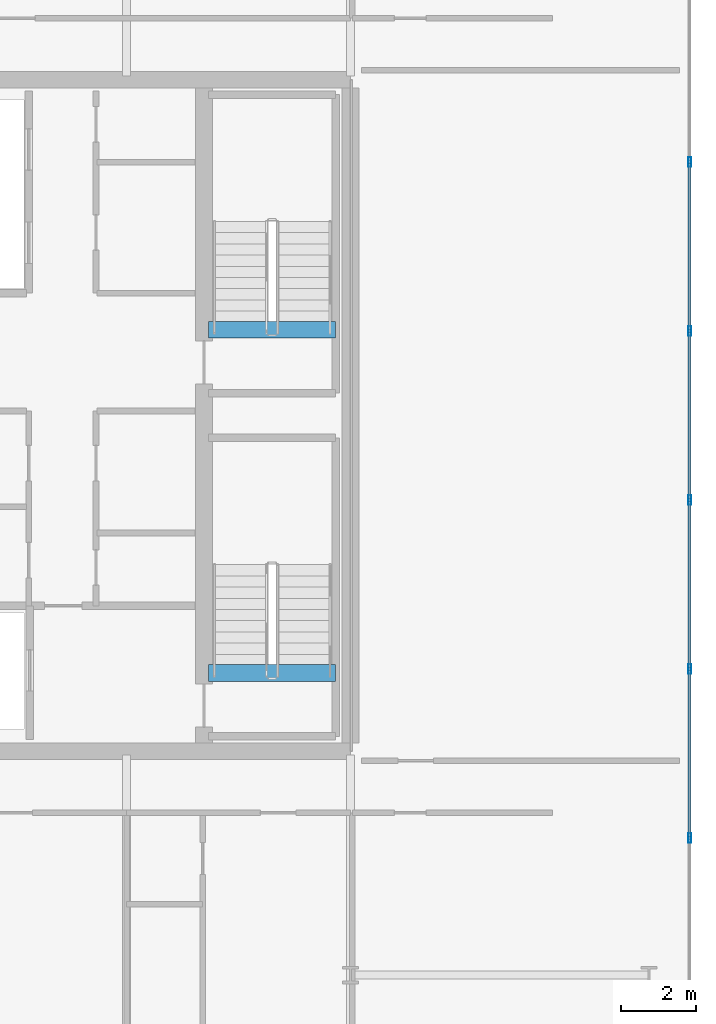
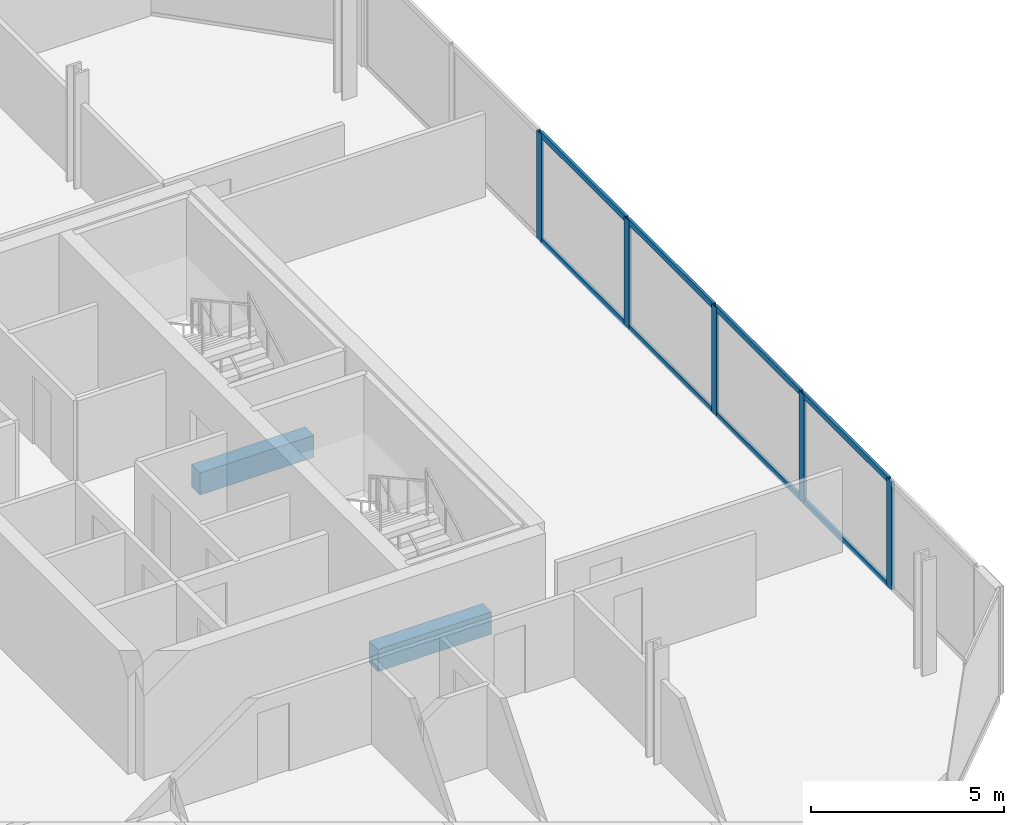
# One storey, part 8 of 17: 13 members, 2 beams, 1 element without a shape of its own.
"""IFC4 building model written with IfcOpenShell, lengths in metres."""

from ifc_helpers import new_model, si_unit, direction, frame, origin, origin_2d, place, context, subcontext, project, spatial, rectangle, hollow_rectangle, extrude, material, layer, layer_set, material_profile, profile_set, type_object, element, aggregate, save


model = new_model("IFC4")

# Units and contexts
model_context = context("Model", 3, precision=1e-05, world=origin(), true_north=direction((0.0, 1.0)))
body_context = subcontext(model_context, "Body", "Model", "MODEL_VIEW")
ifc_project = project(units=[si_unit("LENGTHUNIT", "METRE"), si_unit("AREAUNIT", "SQUARE_METRE"), si_unit("VOLUMEUNIT", "CUBIC_METRE"), si_unit("PLANEANGLEUNIT", "RADIAN"), si_unit("MASSUNIT", "GRAM", prefix="KILO")], contexts=[model_context])

# Site, building, storey
site_placement = place(None, origin())
site = spatial("IfcSite", under=ifc_project, at=site_placement, CompositionType="ELEMENT")
building_placement = place(site_placement, origin())
building = spatial("IfcBuilding", under=site, at=building_placement, Name="Tanjung Sevakor Pilgrim Tower", CompositionType="ELEMENT")
storey_placement = place(building_placement, frame((0.0, 0.0, 267.9599609375)))
storey = spatial("IfcBuildingStorey", under=building, at=storey_placement, Name="L75", CompositionType="ELEMENT", Elevation=267.9599609375)

# Beams
ifc_material_1 = material(Name="Concrete C60/75", Category="concrete")
ifc_material_profile_1 = material_profile(ifc_material_1, rectangle(XDim=0.449951171875, YDim=0.699951171875, at=origin_2d()))
ifc_profile_set_1 = profile_set([ifc_material_profile_1], Name="Concrete C60/75")
beam_type = type_object("IfcBeamType", Name="BM-B-LN3-RC-BM_450x700", PredefinedType="LINTEL", material=ifc_profile_set_1)
for number, where, z_axis, x_axis, name in (
    (1, (86.199951171875, 26.699951171875, -0.349853515625), (1.0, 0.0, 0.0), (0.0, 1.0, 0.0), "L75 TS-E1 Stair Threshold Beam"),
    (2, (86.199951171875, 35.89990234375, -0.349853515625), (1.0, 0.0, 0.0), (0.0, 1.0, 0.0), "L75 TS-E2 Stair Threshold Beam"),
):
    element("IfcBeam", number, at=place(storey_placement, frame(where, z_axis=z_axis, x_axis=x_axis)), inside=storey, type_object=beam_type, Name=name, PredefinedType="LINTEL", context=body_context, shape_type="SweptSolid", body=[
        extrude(rectangle(XDim=0.449951171875, YDim=0.699951171875, at=origin_2d()), origin(), (0.0, 0.0, 1.0), 3.400146484375),
    ])

# Curtain wall, members
ifc_material_2 = material(Name="Aluminium 6063-T6 and Low-E Glass", Category="aluminium")
ifc_layer = layer(ifc_material_2, 0.219970703125)
ifc_layer_set = layer_set([ifc_layer], Name="CW-SYS-CRNE")
curtain_wall_type = type_object("IfcCurtainWallType", Name="CW-SYS-CRNE", PredefinedType="NOTDEFINED", material=ifc_layer_set)
curtain_wall_placement = place(storey_placement, origin())
curtain_wall = element("IfcCurtainWall", 3, at=curtain_wall_placement, inside=storey, type_object=curtain_wall_type, Name="L75 Curtain Wall CW-CRN-L75-EAST-2-1", PredefinedType="NOTDEFINED")
ifc_material_3 = material(Name="Aluminium 6063-T6", Category="aluminium")
ifc_material_profile_2 = material_profile(ifc_material_3, hollow_rectangle(XDim=0.080078125, YDim=0.260009765625, WallThickness=0.0048828125, at=origin_2d()))
ifc_profile_set_2 = profile_set([ifc_material_profile_2], Name="Aluminium 6063-T6")
member_type_1 = type_object("IfcMemberType", Name="TYPE-CWM-3", PredefinedType="MULLION", material=ifc_profile_set_2)
member_1_placement = place(storey_placement, frame((99.090087890625, 22.275390625, 0.0), z_axis=(0.0, 0.0, 1.0), x_axis=(-1.0, 0.0, 0.0)))
member_1 = element("IfcMember", 4, at=member_1_placement, type_object=member_type_1, Name="CW-CRE mullion 2", PredefinedType="MULLION", context=body_context, shape_type="SweptSolid", body=[
    extrude(hollow_rectangle(XDim=0.080078125, YDim=0.260009765625, WallThickness=0.0048828125, at=origin_2d()), origin(), (0.0, 0.0, 1.0), 3.41015625),
])
member_2_placement = place(storey_placement, frame((99.090087890625, 26.80517578125, 0.0), z_axis=(0.0, 0.0, 1.0), x_axis=(-1.0, 0.0, 0.0)))
member_2 = element("IfcMember", 5, at=member_2_placement, type_object=member_type_1, Name="CW-CRE mullion 3", PredefinedType="MULLION", context=body_context, shape_type="SweptSolid", body=[
    extrude(hollow_rectangle(XDim=0.080078125, YDim=0.260009765625, WallThickness=0.0048828125, at=origin_2d()), origin(), (0.0, 0.0, 1.0), 3.41015625),
])
member_3_placement = place(storey_placement, frame((99.090087890625, 31.335205078125, 0.0), z_axis=(0.0, 0.0, 1.0), x_axis=(-1.0, 0.0, 0.0)))
member_3 = element("IfcMember", 6, at=member_3_placement, type_object=member_type_1, Name="CW-CRE mullion 4", PredefinedType="MULLION", context=body_context, shape_type="SweptSolid", body=[
    extrude(hollow_rectangle(XDim=0.080078125, YDim=0.260009765625, WallThickness=0.0048828125, at=origin_2d()), origin(), (0.0, 0.0, 1.0), 3.41015625),
])
member_4_placement = place(storey_placement, frame((99.090087890625, 35.864990234375, 0.0), z_axis=(0.0, 0.0, 1.0), x_axis=(-1.0, 0.0, 0.0)))
member_4 = element("IfcMember", 7, at=member_4_placement, type_object=member_type_1, Name="CW-CRE mullion 5", PredefinedType="MULLION", context=body_context, shape_type="SweptSolid", body=[
    extrude(hollow_rectangle(XDim=0.080078125, YDim=0.260009765625, WallThickness=0.0048828125, at=origin_2d()), origin(), (0.0, 0.0, 1.0), 3.41015625),
])
member_5_placement = place(storey_placement, frame((99.090087890625, 40.394775390625, 0.0), z_axis=(0.0, 0.0, 1.0), x_axis=(-1.0, 0.0, 0.0)))
member_5 = element("IfcMember", 8, at=member_5_placement, type_object=member_type_1, Name="CW-CRE mullion 6", PredefinedType="MULLION", context=body_context, shape_type="SweptSolid", body=[
    extrude(hollow_rectangle(XDim=0.080078125, YDim=0.260009765625, WallThickness=0.0048828125, at=origin_2d()), origin(), (0.0, 0.0, 1.0), 3.41015625),
])
ifc_material_4 = material(Name="Aluminium 6063-T6", Category="aluminium")
ifc_material_profile_3 = material_profile(ifc_material_4, hollow_rectangle(XDim=0.080078125, YDim=0.179931640625, WallThickness=0.0048828125, at=origin_2d()))
ifc_profile_set_3 = profile_set([ifc_material_profile_3], Name="Aluminium 6063-T6")
member_type_2 = type_object("IfcMemberType", Name="TYPE-CWT-3", PredefinedType="USERDEFINED", material=ifc_profile_set_3)
member_6_placement = place(storey_placement, frame((99.090087890625, 22.3154296875, 0.0400390625), z_axis=(0.0, 1.0, 0.0), x_axis=(-1.0, 0.0, 0.0)))
member_6 = element("IfcMember", 9, at=member_6_placement, type_object=member_type_2, Name="CW-CRE transom 2.1", ObjectType="TRANSOM", PredefinedType="USERDEFINED", context=body_context, shape_type="SweptSolid", body=[
    extrude(hollow_rectangle(XDim=0.080078125, YDim=0.179931640625, WallThickness=0.0048828125, at=origin_2d()), origin(), (0.0, 0.0, 1.0), 4.44970703125),
])
member_7_placement = place(storey_placement, frame((99.090087890625, 22.3154296875, 3.3701171875), z_axis=(0.0, 1.0, 0.0), x_axis=(-1.0, 0.0, 0.0)))
member_7 = element("IfcMember", 10, at=member_7_placement, type_object=member_type_2, Name="CW-CRE transom 2.2", ObjectType="TRANSOM", PredefinedType="USERDEFINED", context=body_context, shape_type="SweptSolid", body=[
    extrude(hollow_rectangle(XDim=0.080078125, YDim=0.179931640625, WallThickness=0.0048828125, at=origin_2d()), origin(), (0.0, 0.0, 1.0), 4.44970703125),
])
member_8_placement = place(storey_placement, frame((99.090087890625, 26.84521484375, 0.0400390625), z_axis=(0.0, 1.0, 0.0), x_axis=(-1.0, 0.0, 0.0)))
member_8 = element("IfcMember", 11, at=member_8_placement, type_object=member_type_2, Name="CW-CRE transom 3.1", ObjectType="TRANSOM", PredefinedType="USERDEFINED", context=body_context, shape_type="SweptSolid", body=[
    extrude(hollow_rectangle(XDim=0.080078125, YDim=0.179931640625, WallThickness=0.0048828125, at=origin_2d()), origin(), (0.0, 0.0, 1.0), 4.449951171875),
])
member_9_placement = place(storey_placement, frame((99.090087890625, 26.84521484375, 3.3701171875), z_axis=(0.0, 1.0, 0.0), x_axis=(-1.0, 0.0, 0.0)))
member_9 = element("IfcMember", 12, at=member_9_placement, type_object=member_type_2, Name="CW-CRE transom 3.2", ObjectType="TRANSOM", PredefinedType="USERDEFINED", context=body_context, shape_type="SweptSolid", body=[
    extrude(hollow_rectangle(XDim=0.080078125, YDim=0.179931640625, WallThickness=0.0048828125, at=origin_2d()), origin(), (0.0, 0.0, 1.0), 4.449951171875),
])
member_10_placement = place(storey_placement, frame((99.090087890625, 31.375, 0.0400390625), z_axis=(0.0, 1.0, 0.0), x_axis=(-1.0, 0.0, 0.0)))
member_10 = element("IfcMember", 13, at=member_10_placement, type_object=member_type_2, Name="CW-CRE transom 4.1", ObjectType="TRANSOM", PredefinedType="USERDEFINED", context=body_context, shape_type="SweptSolid", body=[
    extrude(hollow_rectangle(XDim=0.080078125, YDim=0.179931640625, WallThickness=0.0048828125, at=origin_2d()), origin(), (0.0, 0.0, 1.0), 4.449951171875),
])
member_11_placement = place(storey_placement, frame((99.090087890625, 31.375, 3.3701171875), z_axis=(0.0, 1.0, 0.0), x_axis=(-1.0, 0.0, 0.0)))
member_11 = element("IfcMember", 14, at=member_11_placement, type_object=member_type_2, Name="CW-CRE transom 4.2", ObjectType="TRANSOM", PredefinedType="USERDEFINED", context=body_context, shape_type="SweptSolid", body=[
    extrude(hollow_rectangle(XDim=0.080078125, YDim=0.179931640625, WallThickness=0.0048828125, at=origin_2d()), origin(), (0.0, 0.0, 1.0), 4.449951171875),
])
member_12_placement = place(storey_placement, frame((99.090087890625, 35.905029296875, 0.0400390625), z_axis=(0.0, 1.0, 0.0), x_axis=(-1.0, 0.0, 0.0)))
member_12 = element("IfcMember", 15, at=member_12_placement, type_object=member_type_2, Name="CW-CRE transom 5.1", ObjectType="TRANSOM", PredefinedType="USERDEFINED", context=body_context, shape_type="SweptSolid", body=[
    extrude(hollow_rectangle(XDim=0.080078125, YDim=0.179931640625, WallThickness=0.0048828125, at=origin_2d()), origin(), (0.0, 0.0, 1.0), 4.44970703125),
])
member_13_placement = place(storey_placement, frame((99.090087890625, 35.905029296875, 3.3701171875), z_axis=(0.0, 1.0, 0.0), x_axis=(-1.0, 0.0, 0.0)))
member_13 = element("IfcMember", 16, at=member_13_placement, type_object=member_type_2, Name="CW-CRE transom 5.2", ObjectType="TRANSOM", PredefinedType="USERDEFINED", context=body_context, shape_type="SweptSolid", body=[
    extrude(hollow_rectangle(XDim=0.080078125, YDim=0.179931640625, WallThickness=0.0048828125, at=origin_2d()), origin(), (0.0, 0.0, 1.0), 4.44970703125),
])
aggregate(curtain_wall, [member_1, member_2, member_3, member_4, member_5, member_6, member_7, member_8, member_9, member_10, member_11, member_12, member_13])

save(model, "model.ifc")
